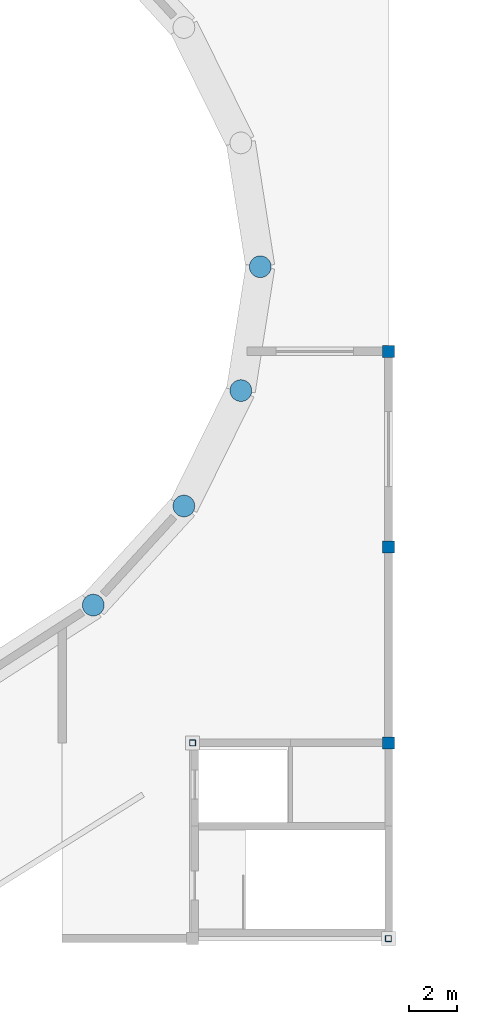
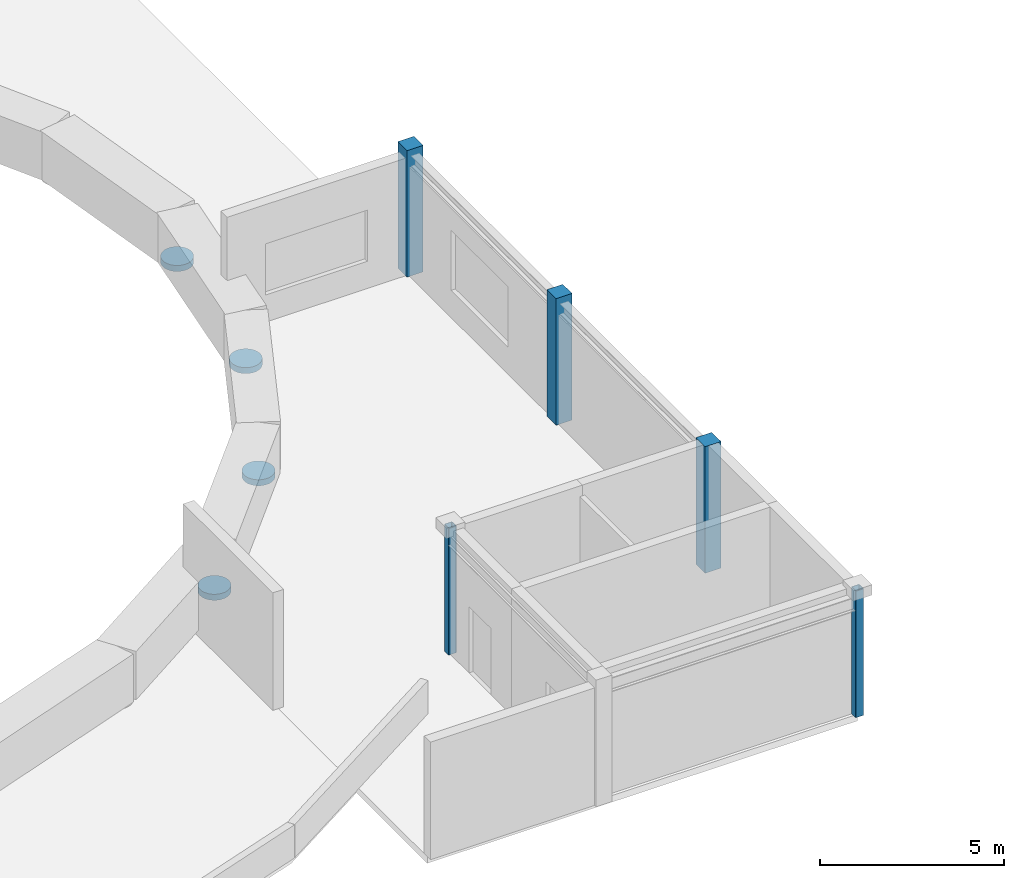
# One storey, part 2 of 26: 9 columns.
"""IFC4 building model written with IfcOpenShell, lengths in metres."""

from ifc_helpers import new_model, si_unit, direction, frame, origin, origin_2d, place, context, subcontext, project, spatial, rectangle, hollow_rectangle, circle, extrude, material, material_profile, profile_set, type_object, element, save


model = new_model("IFC4")

# Units and contexts
model_context = context("Model", 3, precision=1e-05, world=origin(), true_north=direction((0.0, 1.0)))
body_context = subcontext(model_context, "Body", "Model", "MODEL_VIEW")
ifc_project = project(units=[si_unit("LENGTHUNIT", "METRE"), si_unit("AREAUNIT", "SQUARE_METRE"), si_unit("VOLUMEUNIT", "CUBIC_METRE"), si_unit("PLANEANGLEUNIT", "RADIAN"), si_unit("MASSUNIT", "GRAM", prefix="KILO")], contexts=[model_context])

# Site, building, storey
site_placement = place(None, origin())
site = spatial("IfcSite", under=ifc_project, at=site_placement, CompositionType="ELEMENT")
building_placement = place(site_placement, origin())
building = spatial("IfcBuilding", under=site, at=building_placement, Name="Parian Resonance Hall", CompositionType="ELEMENT")
storey_placement = place(building_placement, frame((0.0, 0.0, 19.199951171875)))
storey = spatial("IfcBuildingStorey", under=building, at=storey_placement, Name="L04", CompositionType="ELEMENT", Elevation=19.199951171875)

# Columns
ifc_material_1 = material(Name="Concrete C40/50", Category="concrete")
ifc_material_profile_1 = material_profile(ifc_material_1, rectangle(XDim=0.5, YDim=0.5, at=origin_2d()), Name="RC-COL-500x500")
ifc_profile_set_1 = profile_set([ifc_material_profile_1], Name="Concrete C40/50")
column_type_1 = type_object("IfcColumnType", Name="COL-RC500", PredefinedType="COLUMN", material=ifc_profile_set_1)
for number, where, z_axis, x_axis, name in (
    (1, (72.89990234375, 24.300048828125, 0.0), (0.0, 0.0, 1.0), (1.0, 0.0, 0.0), "Column G10-04 L04"),
    (2, (72.89990234375, 32.39990234375, 0.0), (0.0, 0.0, 1.0), (1.0, 0.0, 0.0), "Column G10-05 L04"),
    (3, (72.89990234375, 40.5, 0.0), (0.0, 0.0, 1.0), (1.0, 0.0, 0.0), "Column G10-06 L04"),
):
    element("IfcColumn", number, at=place(storey_placement, frame(where, z_axis=z_axis, x_axis=x_axis)), inside=storey, type_object=column_type_1, Name=name, PredefinedType="COLUMN", context=body_context, shape_type="SweptSolid", body=[
        extrude(rectangle(XDim=0.5, YDim=0.5, at=origin_2d()), origin(), (0.0, 0.0, 1.0), 4.199951171875),
    ])
ifc_material_2 = material(Name="Concrete C40/50", Category="concrete")
ifc_material_profile_2 = material_profile(ifc_material_2, circle(Radius=0.449951171875, at=origin_2d()), Name="RC-COL-D900")
ifc_profile_set_2 = profile_set([ifc_material_profile_2], Name="Concrete C40/50")
column_type_2 = type_object("IfcColumnType", Name="COL-RCD900", PredefinedType="COLUMN", material=ifc_profile_set_2)
for number, where, z_axis, x_axis, name in (
    (4, (67.60009765625, 44.0, 0.0), (0.0, 0.0, 1.0), (1.0, 0.0, 0.0), "Column DRM-01 L04"),
    (5, (60.687744140625, 29.999267578125, 0.0), (0.0, 0.0, 1.0), (1.0, 0.0, 0.0), "Column DRM-22 L04"),
    (6, (64.438232421875, 34.10009765625, 0.0), (0.0, 0.0, 1.0), (1.0, 0.0, 0.0), "Column DRM-23 L04"),
    (7, (66.7958984375, 38.87548828125, 0.0), (0.0, 0.0, 1.0), (1.0, 0.0, 0.0), "Column DRM-24 L04"),
):
    element("IfcColumn", number, at=place(storey_placement, frame(where, z_axis=z_axis, x_axis=x_axis)), inside=storey, type_object=column_type_2, Name=name, PredefinedType="COLUMN", context=body_context, shape_type="SweptSolid", body=[
        extrude(circle(Radius=0.449951171875, at=origin_2d()), origin(), (0.0, 0.0, 1.0), 0.199951171875),
    ])
ifc_material_3 = material(Name="Hollow structural steel S355", Category="steel")
ifc_material_profile_3 = material_profile(ifc_material_3, hollow_rectangle(XDim=0.25, YDim=0.25, WallThickness=0.012451171875, InnerFilletRadius=0.012451171875, OuterFilletRadius=0.02490234375, at=origin_2d()), Name="SHS250x250x12.5")
ifc_profile_set_3 = profile_set([ifc_material_profile_3], Name="Hollow structural steel S355")
column_type_3 = type_object("IfcColumnType", Name="COL-SHS250", PredefinedType="COLUMN", material=ifc_profile_set_3)
for number, where, z_axis, x_axis, name in (
    (8, (64.800048828125, 24.300048828125, 0.0), (0.0, 0.0, 1.0), (1.0, 0.0, 0.0), "Column G09-04 L04"),
    (9, (72.89990234375, 16.199951171875, 0.0), (0.0, 0.0, 1.0), (1.0, 0.0, 0.0), "Column G10-03 L04"),
):
    element("IfcColumn", number, at=place(storey_placement, frame(where, z_axis=z_axis, x_axis=x_axis)), inside=storey, type_object=column_type_3, Name=name, PredefinedType="COLUMN", context=body_context, shape_type="SweptSolid", body=[
        extrude(hollow_rectangle(XDim=0.25, YDim=0.25, WallThickness=0.012451171875, InnerFilletRadius=0.012451171875, OuterFilletRadius=0.02490234375, at=origin_2d()), origin(), (0.0, 0.0, 1.0), 4.199951171875),
    ])

save(model, "model.ifc")
